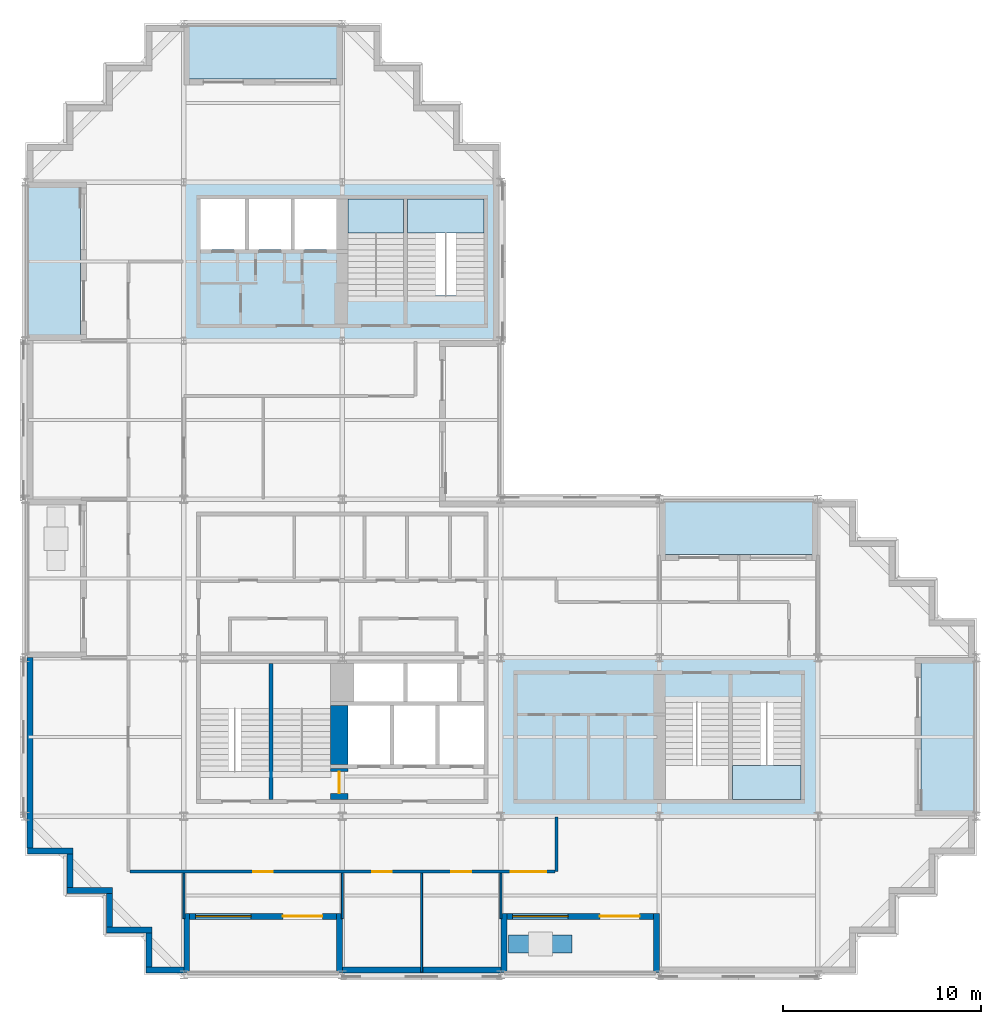
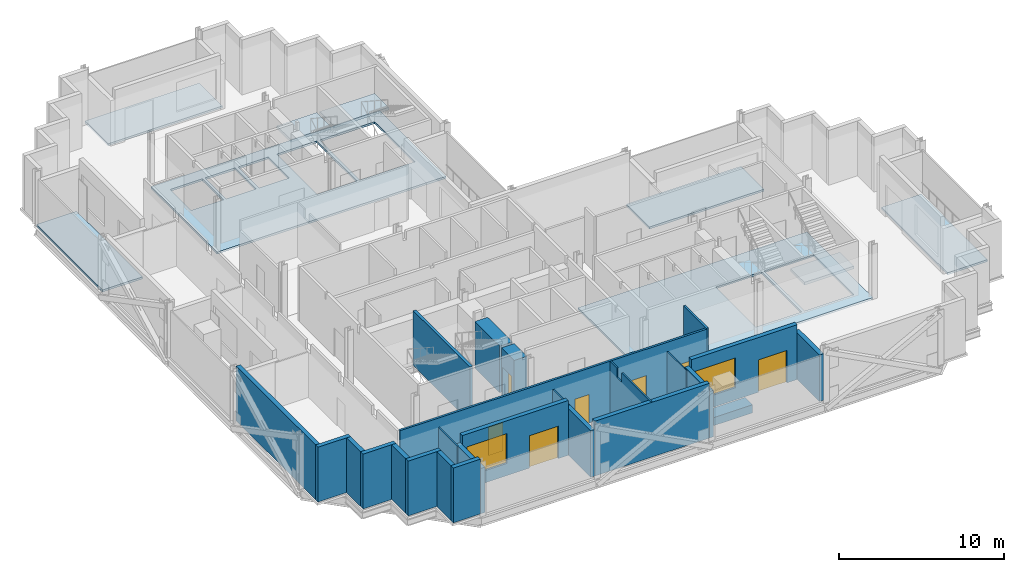
# One storey, part 4 of 11: 25 walls, 9 slabs, 7 doors, 2 windows, 9 openings, 3 elements without a shape of their own.
"""IFC4 building model written with IfcOpenShell, lengths in metres."""

from ifc_helpers import new_model, si_unit, direction, frame, frame_2d, origin, place, context, subcontext, project, spatial, polyline, rectangle, outline, extrude, material, layer, layer_set, type_object, element, fill, aggregate, save


model = new_model("IFC4")

# Units and contexts
model_context = context("Model", 3, precision=1e-05, world=origin(), true_north=direction((0.0, 1.0)))
body_context = subcontext(model_context, "Body", "Model", "MODEL_VIEW")
ifc_project = project(units=[si_unit("LENGTHUNIT", "METRE"), si_unit("AREAUNIT", "SQUARE_METRE"), si_unit("VOLUMEUNIT", "CUBIC_METRE"), si_unit("PLANEANGLEUNIT", "RADIAN"), si_unit("MASSUNIT", "GRAM", prefix="KILO")], contexts=[model_context])

# Site, building, storey
site_placement = place(None, origin())
site = spatial("IfcSite", under=ifc_project, at=site_placement, CompositionType="ELEMENT")
building_placement = place(site_placement, origin())
building = spatial("IfcBuilding", under=site, at=building_placement, Name="Immortelle Media Tower", CompositionType="ELEMENT")
storey_placement = place(building_placement, frame((0.0, 0.0, 157.800048828125)))
storey = spatial("IfcBuildingStorey", under=building, at=storey_placement, Name="L32", CompositionType="ELEMENT", Elevation=157.800048828125)

# Slabs
ifc_material_1 = material(Name="Concrete C50/60 composite deck", Category="concrete")
ifc_layer_1 = layer(ifc_material_1, 0.14990234375)
ifc_layer_set_1 = layer_set([ifc_layer_1], Name="Concrete C50/60 composite deck")
slab_type_1 = type_object("IfcSlabType", Name="Balcony slab 150", PredefinedType="FLOOR", material=ifc_layer_set_1)
slab_1_placement = place(storey_placement, frame((0.0, 0.0, -0.150146484375)))
element("IfcSlab", 1, at=slab_1_placement, inside=storey, type_object=slab_type_1, Name="Balcony slab L32 E0", PredefinedType="FLOOR", context=body_context, shape_type="SweptSolid", body=[
    extrude(outline(polyline([(48.0, 8.0), (48.0, 16.0), (45.199951171875, 16.0), (45.199951171875, 8.0), (48.0, 8.0)])), origin(), (0.0, 0.0, 1.0), 0.150146484375),
])
slab_2_placement = place(storey_placement, frame((0.0, 0.0, -0.150146484375)))
element("IfcSlab", 2, at=slab_2_placement, inside=storey, type_object=slab_type_1, Name="Balcony slab L32 N0", PredefinedType="FLOOR", context=body_context, shape_type="SweptSolid", body=[
    extrude(outline(polyline([(40.0, 21.199951171875), (40.0, 24.0), (32.0, 24.0), (32.0, 21.199951171875), (40.0, 21.199951171875)])), origin(), (0.0, 0.0, 1.0), 0.150146484375),
])
slab_3_placement = place(storey_placement, frame((0.0, 0.0, -0.150146484375)))
element("IfcSlab", 3, at=slab_3_placement, inside=storey, type_object=slab_type_1, Name="Balcony slab L32 N0", PredefinedType="FLOOR", context=body_context, shape_type="SweptSolid", body=[
    extrude(outline(polyline([(16.0, 45.199951171875), (16.0, 48.0), (8.0, 48.0), (8.0, 45.199951171875), (16.0, 45.199951171875)])), origin(), (0.0, 0.0, 1.0), 0.150146484375),
])
slab_4_placement = place(storey_placement, frame((0.0, 0.0, -0.150146484375)))
element("IfcSlab", 4, at=slab_4_placement, inside=storey, type_object=slab_type_1, Name="Balcony slab L32 W0", PredefinedType="FLOOR", context=body_context, shape_type="SweptSolid", body=[
    extrude(outline(polyline([(2.800048828125, 32.0), (2.800048828125, 40.0), (0.0, 40.0), (0.0, 32.0), (2.800048828125, 32.0)])), origin(), (0.0, 0.0, 1.0), 0.150146484375),
])
ifc_material_2 = material(Name="Concrete C50/60", Category="concrete")
ifc_layer_2 = layer(ifc_material_2, 0.14990234375)
ifc_layer_set_2 = layer_set([ifc_layer_2], Name="Concrete C50/60")
slab_type_2 = type_object("IfcSlabType", Name="Core floor slab 150", PredefinedType="FLOOR", material=ifc_layer_set_2)
slab_5_placement = place(storey_placement, frame((0.0, 0.0, -0.150146484375)))
element("IfcSlab", 5, at=slab_5_placement, inside=storey, type_object=slab_type_2, Name="Core floor SE", PredefinedType="FLOOR", context=body_context, shape_type="SweptSolid", body=[
    extrude(outline(polyline([(24.0, 8.0), (40.0, 8.0), (40.0, 16.0), (24.0, 16.0), (24.0, 8.0)]), holes=[polyline([(32.300048828125, 8.85009765625), (35.5, 8.85009765625), (35.5, 13.72998046875), (32.300048828125, 13.72998046875), (32.300048828125, 8.85009765625)]), polyline([(35.699951171875, 8.85009765625), (39.14990234375, 8.85009765625), (39.14990234375, 13.72998046875), (35.699951171875, 13.72998046875), (35.699951171875, 8.85009765625)])]), origin(), (0.0, 0.0, 1.0), 0.150146484375),
])
slab_6_placement = place(storey_placement, frame((0.0, 0.0, -0.150146484375)))
element("IfcSlab", 6, at=slab_6_placement, inside=storey, type_object=slab_type_2, Name="Core floor NW", PredefinedType="FLOOR", context=body_context, shape_type="SweptSolid", body=[
    extrude(outline(polyline([(8.0, 32.0), (24.0, 32.0), (24.0, 40.0), (8.0, 40.0), (8.0, 32.0)]), holes=[polyline([(8.85009765625, 36.60009765625), (11.10009765625, 36.60009765625), (11.10009765625, 39.14990234375), (8.85009765625, 39.14990234375), (8.85009765625, 36.60009765625)]), polyline([(11.300048828125, 36.60009765625), (13.39990234375, 36.60009765625), (13.39990234375, 39.14990234375), (11.300048828125, 39.14990234375), (11.300048828125, 36.60009765625)]), polyline([(13.60009765625, 36.60009765625), (15.699951171875, 36.60009765625), (15.699951171875, 39.14990234375), (13.60009765625, 39.14990234375), (13.60009765625, 36.60009765625)]), polyline([(16.300048828125, 34.27001953125), (19.10009765625, 34.27001953125), (19.10009765625, 39.14990234375), (16.300048828125, 39.14990234375), (16.300048828125, 34.27001953125)]), polyline([(19.300048828125, 34.27001953125), (23.14990234375, 34.27001953125), (23.14990234375, 39.14990234375), (19.300048828125, 39.14990234375), (19.300048828125, 34.27001953125)])]), origin(), (0.0, 0.0, 1.0), 0.150146484375),
])

# Stair, slab
ifc_material_3 = material(Name="Steel ASTM A992 Gr 50", Category="steel")
stair_type = type_object("IfcStairType", Name="Stair with flights", PredefinedType="DOUBLE_RETURN_STAIR", material=ifc_material_3)
stair_1_placement = place(storey_placement, origin())
stair_1 = element("IfcStair", 7, at=stair_1_placement, inside=storey, type_object=stair_type, Name="Exit stair SE2", PredefinedType="DOUBLE_RETURN_STAIR")
ifc_material_4 = material(Name="Steel ASTM A572 Gr 50", Category="steel")
ifc_layer_3 = layer(ifc_material_4, 0.199951171875)
ifc_layer_set_3 = layer_set([ifc_layer_3], Name="Steel ASTM A572 Gr 50")
slab_type_3 = type_object("IfcSlabType", Name="Stair landing 200", PredefinedType="LANDING", material=ifc_layer_set_3)
slab_7_placement = place(storey_placement, frame((0.0, 0.0, 1.89990234375)))
slab_7 = element("IfcSlab", 8, at=slab_7_placement, type_object=slab_type_3, Name="ST SE2 landing 1", PredefinedType="LANDING", context=body_context, shape_type="SweptSolid", body=[
    extrude(outline(polyline([(35.699951171875, 8.85009765625), (39.14990234375, 8.85009765625), (39.14990234375, 10.56005859375), (35.699951171875, 10.56005859375), (35.699951171875, 8.85009765625)])), origin(), (0.0, 0.0, 1.0), 0.199951171875),
])
aggregate(stair_1, [slab_7])

stair_2_placement = place(storey_placement, origin())
stair_2 = element("IfcStair", 9, at=stair_2_placement, inside=storey, type_object=stair_type, Name="Exit stair NW1", PredefinedType="DOUBLE_RETURN_STAIR")
slab_8_placement = place(storey_placement, frame((0.0, 0.0, 1.89990234375)))
slab_8 = element("IfcSlab", 10, at=slab_8_placement, type_object=slab_type_3, Name="ST NW1 landing 1", PredefinedType="LANDING", context=body_context, shape_type="SweptSolid", body=[
    extrude(outline(polyline([(16.300048828125, 37.43994140625), (19.10009765625, 37.43994140625), (19.10009765625, 39.14990234375), (16.300048828125, 39.14990234375), (16.300048828125, 37.43994140625)])), origin(), (0.0, 0.0, 1.0), 0.199951171875),
])
aggregate(stair_2, [slab_8])

stair_3_placement = place(storey_placement, origin())
stair_3 = element("IfcStair", 11, at=stair_3_placement, inside=storey, type_object=stair_type, Name="Exit stair NW2", PredefinedType="DOUBLE_RETURN_STAIR")
slab_9_placement = place(storey_placement, frame((0.0, 0.0, 1.89990234375)))
slab_9 = element("IfcSlab", 12, at=slab_9_placement, type_object=slab_type_3, Name="ST NW2 landing 1", PredefinedType="LANDING", context=body_context, shape_type="SweptSolid", body=[
    extrude(outline(polyline([(19.300048828125, 37.43994140625), (23.14990234375, 37.43994140625), (23.14990234375, 39.14990234375), (19.300048828125, 39.14990234375), (19.300048828125, 37.43994140625)])), origin(), (0.0, 0.0, 1.0), 0.199951171875),
])
aggregate(stair_3, [slab_9])

# Wall, openings, doors
ifc_material_5 = material(Name="Fire-rated gypsum board", Category="gypsum")
ifc_layer_4 = layer(ifc_material_5, 0.012451171875)
ifc_material_6 = material(Name="Steel ASTM A653 SS Gr 50 stud frame with mineral wool", Category="steel")
ifc_layer_5 = layer(ifc_material_6, 0.125)
ifc_layer_6 = layer(ifc_material_5, 0.012451171875)
ifc_layer_set_4 = layer_set([ifc_layer_4, ifc_layer_5, ifc_layer_6], Name="Steel ASTM A653 SS Gr 50 stud frame with mineral wool")
wall_type_1 = type_object("IfcWallType", Name="Corridor wall 150", PredefinedType="PARTITIONING", material=ifc_layer_set_4)
wall_1_placement = place(storey_placement, frame((5.27490234375, 5.199951171875, 0.0), z_axis=(0.0, 0.0, 1.0), x_axis=(1.0, 0.0, 0.0)))
wall_1 = element("IfcWall", 13, at=wall_1_placement, inside=storey, type_object=wall_type_1, Name="Partition L32-005", PredefinedType="PARTITIONING", context=body_context, shape_type="SweptSolid", body=[
    extrude(rectangle(XDim=21.4501953125, YDim=0.14990234375, at=frame_2d((10.72509765625, 0.0))), origin(), (0.0, 0.0, 1.0), 4.050048828125),
])
opening_1_placement = place(wall_1_placement, frame((13.22509765625, 0.0, 0.0), z_axis=(0.0, 0.0, 1.0), x_axis=(-1.0, 0.0, 0.0)))
opening_1 = element("IfcOpeningElement", 14, at=opening_1_placement, cuts=wall_1, Name="Opening C4-F001", PredefinedType="OPENING", context=body_context, shape_type="SweptSolid", body=[
    extrude(rectangle(XDim=1.0, YDim=2.10009765625, at=frame_2d((0.5, 1.050048828125))), frame((0.0, 0.0849609375, 0.0), z_axis=(0.0, -1.0, 0.0), x_axis=(1.0, 0.0, 0.0)), (0.0, 0.0, 1.0), 0.169921875),
])
opening_2_placement = place(wall_1_placement, frame((17.22509765625, 0.0, 0.0), z_axis=(0.0, 0.0, 1.0), x_axis=(-1.0, 0.0, 0.0)))
opening_2 = element("IfcOpeningElement", 15, at=opening_2_placement, cuts=wall_1, Name="Opening C4-F002", PredefinedType="OPENING", context=body_context, shape_type="SweptSolid", body=[
    extrude(rectangle(XDim=1.0, YDim=2.10009765625, at=frame_2d((0.5, 1.050048828125))), frame((0.0, 0.0849609375, 0.0), z_axis=(0.0, -1.0, 0.0), x_axis=(1.0, 0.0, 0.0)), (0.0, 0.0, 1.0), 0.169921875),
])
opening_3_placement = place(wall_1_placement, frame((7.22509765625, 0.0, 0.0), z_axis=(0.0, 0.0, 1.0), x_axis=(-1.0, 0.0, 0.0)))
opening_3 = element("IfcOpeningElement", 16, at=opening_3_placement, cuts=wall_1, Name="Opening C4-F003", PredefinedType="OPENING", context=body_context, shape_type="SweptSolid", body=[
    extrude(rectangle(XDim=1.0, YDim=2.10009765625, at=frame_2d((0.5, 1.050048828125))), frame((0.0, 0.0849609375, 0.0), z_axis=(0.0, -1.0, 0.0), x_axis=(1.0, 0.0, 0.0)), (0.0, 0.0, 1.0), 0.169921875),
])
opening_4_placement = place(wall_1_placement, frame((19.22509765625, 0.0, 0.0)))
opening_4 = element("IfcOpeningElement", 17, at=opening_4_placement, cuts=wall_1, Name="Opening C4-F004", PredefinedType="OPENING", context=body_context, shape_type="SweptSolid", body=[
    extrude(rectangle(XDim=1.800048828125, YDim=2.10009765625, at=frame_2d((0.89990234375, 1.050048828125))), frame((0.0, 0.0849609375, 0.0), z_axis=(0.0, -1.0, 0.0), x_axis=(1.0, 0.0, 0.0)), (0.0, 0.0, 1.0), 0.169921875),
])
ifc_material_7 = material(Name="Timber veneered door leaf, galvanised steel frame ASTM A653", Category="steel")
door_type_1 = type_object("IfcDoorType", Name="Room door 1000 x 2100", OperationType="NOTDEFINED", PredefinedType="DOOR", material=ifc_material_7)
door_1_placement = place(opening_1_placement, origin())
door_1 = element("IfcDoor", 18, at=door_1_placement, inside=storey, type_object=door_type_1, Name="Door C4-F001", OperationType="SINGLE_SWING_RIGHT", OverallHeight=2.10009765625, OverallWidth=1.0, PredefinedType="DOOR", context=body_context, shape_type="SweptSolid", body=[
    extrude(rectangle(XDim=1.0, YDim=2.10009765625, at=frame_2d((0.5, 1.050048828125))), frame((0.0, 0.02490234375, 0.0), z_axis=(0.0, -1.0, 0.0), x_axis=(1.0, 0.0, 0.0)), (0.0, 0.0, 1.0), 0.050048828125),
])
fill(opening_1, door_1)
door_2_placement = place(opening_2_placement, origin())
door_2 = element("IfcDoor", 19, at=door_2_placement, inside=storey, type_object=door_type_1, Name="Door C4-F002", OperationType="SINGLE_SWING_RIGHT", OverallHeight=2.10009765625, OverallWidth=1.0, PredefinedType="DOOR", context=body_context, shape_type="SweptSolid", body=[
    extrude(rectangle(XDim=1.0, YDim=2.10009765625, at=frame_2d((0.5, 1.050048828125))), frame((0.0, 0.02490234375, 0.0), z_axis=(0.0, -1.0, 0.0), x_axis=(1.0, 0.0, 0.0)), (0.0, 0.0, 1.0), 0.050048828125),
])
fill(opening_2, door_2)
door_3_placement = place(opening_3_placement, origin())
door_3 = element("IfcDoor", 20, at=door_3_placement, inside=storey, type_object=door_type_1, Name="Door C4-F003", OperationType="SINGLE_SWING_RIGHT", OverallHeight=2.10009765625, OverallWidth=1.0, PredefinedType="DOOR", context=body_context, shape_type="SweptSolid", body=[
    extrude(rectangle(XDim=1.0, YDim=2.10009765625, at=frame_2d((0.5, 1.050048828125))), frame((0.0, 0.02490234375, 0.0), z_axis=(0.0, -1.0, 0.0), x_axis=(1.0, 0.0, 0.0)), (0.0, 0.0, 1.0), 0.050048828125),
])
fill(opening_3, door_3)
door_type_2 = type_object("IfcDoorType", Name="Room door 1800 x 2100", OperationType="DOUBLE_DOOR_SINGLE_SWING", PredefinedType="DOOR", material=ifc_material_7)
door_4_placement = place(opening_4_placement, origin())
door_4 = element("IfcDoor", 21, at=door_4_placement, inside=storey, type_object=door_type_2, Name="Door C4-F004", OperationType="DOUBLE_DOOR_SINGLE_SWING", OverallHeight=2.10009765625, OverallWidth=1.800048828125, PredefinedType="DOOR", context=body_context, shape_type="SweptSolid", body=[
    extrude(rectangle(XDim=1.800048828125, YDim=2.10009765625, at=frame_2d((0.89990234375, 1.050048828125))), frame((0.0, 0.02490234375, 0.0), z_axis=(0.0, -1.0, 0.0), x_axis=(1.0, 0.0, 0.0)), (0.0, 0.0, 1.0), 0.050048828125),
])
fill(opening_4, door_4)

# Walls
wall_2_placement = place(storey_placement, frame((26.800048828125, 5.199951171875, 0.0), z_axis=(0.0, 0.0, 1.0), x_axis=(0.0, 1.0, 0.0)))
element("IfcWall", 22, at=wall_2_placement, inside=storey, type_object=wall_type_1, Name="Partition L32-007", PredefinedType="PARTITIONING", context=body_context, shape_type="SweptSolid", body=[
    extrude(rectangle(XDim=2.77001953125, YDim=0.14990234375, at=frame_2d((1.385009765625, 0.0))), origin(), (0.0, 0.0, 1.0), 4.050048828125),
])
ifc_material_8 = material(Name="Pale aluminium cladding panel", Category="aluminium")
ifc_layer_7 = layer(ifc_material_8, 0.030029296875)
ifc_layer_8 = layer(ifc_material_6, 0.257568359375)
ifc_material_9 = material(Name="Moisture-resistant gypsum board", Category="gypsum")
ifc_layer_9 = layer(ifc_material_9, 0.012451171875)
ifc_layer_set_5 = layer_set([ifc_layer_7, ifc_layer_8, ifc_layer_9], Name="Steel ASTM A653 SS Gr 50 stud frame with mineral wool")
wall_type_2 = type_object("IfcWallType", Name="Facade wall 300", PredefinedType="SOLIDWALL", material=ifc_layer_set_5)
wall_3_placement = place(storey_placement, frame((0.10009765625, 6.25, 0.0), z_axis=(0.0, 0.0, 1.0), x_axis=(1.0, 0.0, 0.0)))
element("IfcWall", 23, at=wall_3_placement, inside=storey, type_object=wall_type_2, Name="Facade wall L32 S0", PredefinedType="SOLIDWALL", context=body_context, shape_type="SweptSolid", body=[
    extrude(rectangle(XDim=2.2998046875, YDim=0.300048828125, at=frame_2d((1.14990234375, 0.0))), origin(), (0.0, 0.0, 1.0), 4.050048828125),
])
wall_4_placement = place(storey_placement, frame((2.25, 6.10009765625, 0.0), z_axis=(0.0, 0.0, 1.0), x_axis=(0.0, -1.0, 0.0)))
element("IfcWall", 24, at=wall_4_placement, inside=storey, type_object=wall_type_2, Name="Facade wall L32 W1", PredefinedType="SOLIDWALL", context=body_context, shape_type="SweptSolid", body=[
    extrude(rectangle(XDim=1.7001953125, YDim=0.300048828125, at=frame_2d((0.85009765625, 0.0))), origin(), (0.0, 0.0, 1.0), 4.050048828125),
])
wall_5_placement = place(storey_placement, frame((2.10009765625, 4.25, 0.0), z_axis=(0.0, 0.0, 1.0), x_axis=(1.0, 0.0, 0.0)))
element("IfcWall", 25, at=wall_5_placement, inside=storey, type_object=wall_type_2, Name="Facade wall L32 S2", PredefinedType="SOLIDWALL", context=body_context, shape_type="SweptSolid", body=[
    extrude(rectangle(XDim=2.2998046875, YDim=0.300048828125, at=frame_2d((1.14990234375, 0.0))), origin(), (0.0, 0.0, 1.0), 4.050048828125),
])
wall_6_placement = place(storey_placement, frame((4.25, 4.10009765625, 0.0), z_axis=(0.0, 0.0, 1.0), x_axis=(0.0, -1.0, 0.0)))
element("IfcWall", 26, at=wall_6_placement, inside=storey, type_object=wall_type_2, Name="Facade wall L32 W3", PredefinedType="SOLIDWALL", context=body_context, shape_type="SweptSolid", body=[
    extrude(rectangle(XDim=1.7001953125, YDim=0.300048828125, at=frame_2d((0.85009765625, 0.0))), origin(), (0.0, 0.0, 1.0), 4.050048828125),
])
wall_7_placement = place(storey_placement, frame((4.10009765625, 2.25, 0.0), z_axis=(0.0, 0.0, 1.0), x_axis=(1.0, 0.0, 0.0)))
element("IfcWall", 27, at=wall_7_placement, inside=storey, type_object=wall_type_2, Name="Facade wall L32 S4", PredefinedType="SOLIDWALL", context=body_context, shape_type="SweptSolid", body=[
    extrude(rectangle(XDim=2.2998046875, YDim=0.300048828125, at=frame_2d((1.14990234375, 0.0))), origin(), (0.0, 0.0, 1.0), 4.050048828125),
])
wall_8_placement = place(storey_placement, frame((6.25, 2.10009765625, 0.0), z_axis=(0.0, 0.0, 1.0), x_axis=(0.0, -1.0, 0.0)))
element("IfcWall", 28, at=wall_8_placement, inside=storey, type_object=wall_type_2, Name="Facade wall L32 W5", PredefinedType="SOLIDWALL", context=body_context, shape_type="SweptSolid", body=[
    extrude(rectangle(XDim=1.7001953125, YDim=0.300048828125, at=frame_2d((0.85009765625, 0.0))), origin(), (0.0, 0.0, 1.0), 4.050048828125),
])
wall_9_placement = place(storey_placement, frame((6.10009765625, 0.25, 0.0), z_axis=(0.0, 0.0, 1.0), x_axis=(1.0, 0.0, 0.0)))
element("IfcWall", 29, at=wall_9_placement, inside=storey, type_object=wall_type_2, Name="Facade wall L32 S6", PredefinedType="SOLIDWALL", context=body_context, shape_type="SweptSolid", body=[
    extrude(rectangle(XDim=1.89990234375, YDim=0.300048828125, at=frame_2d((0.949951171875, 0.0))), origin(), (0.0, 0.0, 1.0), 4.050048828125),
])

# Wall, openings, door, window
wall_10_placement = place(storey_placement, frame((8.300048828125, 2.949951171875, 0.0), z_axis=(0.0, 0.0, 1.0), x_axis=(1.0, 0.0, 0.0)))
wall_10 = element("IfcWall", 30, at=wall_10_placement, inside=storey, type_object=wall_type_2, Name="Loggia wall L32 S6", PredefinedType="SOLIDWALL", context=body_context, shape_type="SweptSolid", body=[
    extrude(rectangle(XDim=7.39990234375, YDim=0.300048828125, at=frame_2d((3.699951171875, 0.0))), origin(), (0.0, 0.0, 1.0), 4.050048828125),
])
opening_5_placement = place(wall_10_placement, frame((0.300048828125, 0.0, 0.89990234375)))
opening_5 = element("IfcOpeningElement", 31, at=opening_5_placement, cuts=wall_10, Name="Opening W1", PredefinedType="OPENING", context=body_context, shape_type="SweptSolid", body=[
    extrude(rectangle(XDim=2.800048828125, YDim=2.199951171875, at=frame_2d((1.39990234375, 1.10009765625))), frame((0.0, 0.159912109375, 0.0), z_axis=(0.0, -1.0, 0.0), x_axis=(1.0, 0.0, 0.0)), (0.0, 0.0, 1.0), 0.320068359375),
])
opening_6_placement = place(wall_10_placement, frame((4.699951171875, 0.0, 0.0)))
opening_6 = element("IfcOpeningElement", 32, at=opening_6_placement, cuts=wall_10, Name="Opening C4-E001", PredefinedType="OPENING", context=body_context, shape_type="SweptSolid", body=[
    extrude(rectangle(XDim=2.0, YDim=2.39990234375, at=frame_2d((1.0, 1.199951171875))), frame((0.0, 0.159912109375, 0.0), z_axis=(0.0, -1.0, 0.0), x_axis=(1.0, 0.0, 0.0)), (0.0, 0.0, 1.0), 0.320068359375),
])
ifc_material_10 = material(Name="Aluminium frame, glazed leaves", Category="aluminium")
door_type_3 = type_object("IfcDoorType", Name="Loggia door 2000 x 2400", OperationType="DOUBLE_DOOR_SINGLE_SWING", PredefinedType="DOOR", material=ifc_material_10)
door_5_placement = place(opening_6_placement, origin())
door_5 = element("IfcDoor", 33, at=door_5_placement, inside=storey, type_object=door_type_3, Name="Door C4-E001", OperationType="DOUBLE_DOOR_SINGLE_SWING", OverallHeight=2.39990234375, OverallWidth=2.0, PredefinedType="DOOR", context=body_context, shape_type="SweptSolid", body=[
    extrude(rectangle(XDim=2.0, YDim=2.39990234375, at=frame_2d((1.0, 1.199951171875))), frame((0.0, 0.02490234375, 0.0), z_axis=(0.0, -1.0, 0.0), x_axis=(1.0, 0.0, 0.0)), (0.0, 0.0, 1.0), 0.050048828125),
])
fill(opening_6, door_5)
ifc_material_11 = material(Name="Aluminium frame", Category="aluminium")
window_type = type_object("IfcWindowType", Name="Window 2800 x 2200", PartitioningType="SINGLE_PANEL", PredefinedType="WINDOW", material=ifc_material_11)
window_1_placement = place(opening_5_placement, origin())
window_1 = element("IfcWindow", 34, at=window_1_placement, inside=storey, type_object=window_type, Name="Window L32 L32-R6-B0", OverallHeight=2.199951171875, OverallWidth=2.800048828125, PartitioningType="SINGLE_PANEL", PredefinedType="WINDOW", context=body_context, shape_type="SweptSolid", body=[
    extrude(rectangle(XDim=2.800048828125, YDim=2.199951171875, at=frame_2d((1.39990234375, 1.10009765625))), frame((0.0, 0.030029296875, 0.0), z_axis=(0.0, -1.0, 0.0), x_axis=(1.0, 0.0, 0.0)), (0.0, 0.0, 1.0), 0.06005859375),
])
fill(opening_5, window_1)

# Walls
wall_11_placement = place(storey_placement, frame((8.14990234375, 0.10009765625, 0.0), z_axis=(0.0, 0.0, 1.0), x_axis=(0.0, 1.0, 0.0)))
element("IfcWall", 35, at=wall_11_placement, inside=storey, type_object=wall_type_2, Name="Loggia cheek wall L32 S", PredefinedType="SOLIDWALL", context=body_context, shape_type="SweptSolid", body=[
    extrude(rectangle(XDim=3.0, YDim=0.300048828125, at=frame_2d((1.5, 0.0))), origin(), (0.0, 0.0, 1.0), 3.35302734375),
])
wall_12_placement = place(storey_placement, frame((15.85009765625, 0.10009765625, 0.0), z_axis=(0.0, 0.0, 1.0), x_axis=(0.0, 1.0, 0.0)))
element("IfcWall", 36, at=wall_12_placement, inside=storey, type_object=wall_type_2, Name="Loggia cheek wall L32 S", PredefinedType="SOLIDWALL", context=body_context, shape_type="SweptSolid", body=[
    extrude(rectangle(XDim=3.0, YDim=0.300048828125, at=frame_2d((1.5, 0.0))), origin(), (0.0, 0.0, 1.0), 3.43701171875),
])
wall_13_placement = place(storey_placement, frame((16.0, 0.25, 0.0), z_axis=(0.0, 0.0, 1.0), x_axis=(1.0, 0.0, 0.0)))
element("IfcWall", 37, at=wall_13_placement, inside=storey, type_object=wall_type_2, Name="Facade wall L32 S6", PredefinedType="SOLIDWALL", context=body_context, shape_type="SweptSolid", body=[
    extrude(rectangle(XDim=8.0, YDim=0.300048828125, at=frame_2d((4.0, 0.0))), origin(), (0.0, 0.0, 1.0), 4.050048828125),
])

# Wall, openings, door, window
wall_14_placement = place(storey_placement, frame((24.300048828125, 2.949951171875, 0.0), z_axis=(0.0, 0.0, 1.0), x_axis=(1.0, 0.0, 0.0)))
wall_14 = element("IfcWall", 38, at=wall_14_placement, inside=storey, type_object=wall_type_2, Name="Loggia wall L32 S6", PredefinedType="SOLIDWALL", context=body_context, shape_type="SweptSolid", body=[
    extrude(rectangle(XDim=7.39990234375, YDim=0.300048828125, at=frame_2d((3.699951171875, 0.0))), origin(), (0.0, 0.0, 1.0), 4.050048828125),
])
opening_7_placement = place(wall_14_placement, frame((0.300048828125, 0.0, 0.89990234375)))
opening_7 = element("IfcOpeningElement", 39, at=opening_7_placement, cuts=wall_14, Name="Opening W1", PredefinedType="OPENING", context=body_context, shape_type="SweptSolid", body=[
    extrude(rectangle(XDim=2.800048828125, YDim=2.199951171875, at=frame_2d((1.39990234375, 1.10009765625))), frame((0.0, 0.159912109375, 0.0), z_axis=(0.0, -1.0, 0.0), x_axis=(1.0, 0.0, 0.0)), (0.0, 0.0, 1.0), 0.320068359375),
])
opening_8_placement = place(wall_14_placement, frame((4.699951171875, 0.0, 0.0)))
opening_8 = element("IfcOpeningElement", 40, at=opening_8_placement, cuts=wall_14, Name="Opening C4-E002", PredefinedType="OPENING", context=body_context, shape_type="SweptSolid", body=[
    extrude(rectangle(XDim=2.0, YDim=2.39990234375, at=frame_2d((1.0, 1.199951171875))), frame((0.0, 0.159912109375, 0.0), z_axis=(0.0, -1.0, 0.0), x_axis=(1.0, 0.0, 0.0)), (0.0, 0.0, 1.0), 0.320068359375),
])
door_6_placement = place(opening_8_placement, origin())
door_6 = element("IfcDoor", 41, at=door_6_placement, inside=storey, type_object=door_type_3, Name="Door C4-E002", OperationType="DOUBLE_DOOR_SINGLE_SWING", OverallHeight=2.39990234375, OverallWidth=2.0, PredefinedType="DOOR", context=body_context, shape_type="SweptSolid", body=[
    extrude(rectangle(XDim=2.0, YDim=2.39990234375, at=frame_2d((1.0, 1.199951171875))), frame((0.0, 0.02490234375, 0.0), z_axis=(0.0, -1.0, 0.0), x_axis=(1.0, 0.0, 0.0)), (0.0, 0.0, 1.0), 0.050048828125),
])
fill(opening_8, door_6)
window_2_placement = place(opening_7_placement, origin())
window_2 = element("IfcWindow", 42, at=window_2_placement, inside=storey, type_object=window_type, Name="Window L32 L32-R6-B2", OverallHeight=2.199951171875, OverallWidth=2.800048828125, PartitioningType="SINGLE_PANEL", PredefinedType="WINDOW", context=body_context, shape_type="SweptSolid", body=[
    extrude(rectangle(XDim=2.800048828125, YDim=2.199951171875, at=frame_2d((1.39990234375, 1.10009765625))), frame((0.0, 0.030029296875, 0.0), z_axis=(0.0, -1.0, 0.0), x_axis=(1.0, 0.0, 0.0)), (0.0, 0.0, 1.0), 0.06005859375),
])
fill(opening_7, window_2)

# Walls
for number, where, z_axis, x_axis, name in (
    (43, (24.14990234375, 0.10009765625, 0.0), (0.0, 0.0, 1.0), (0.0, 1.0, 0.0), "Loggia cheek wall L32 S"),
    (44, (31.85009765625, 0.10009765625, 0.0), (0.0, 0.0, 1.0), (0.0, 1.0, 0.0), "Loggia cheek wall L32 S"),
):
    element("IfcWall", number, at=place(storey_placement, frame(where, z_axis=z_axis, x_axis=x_axis)), inside=storey, type_object=wall_type_2, Name=name, PredefinedType="SOLIDWALL", context=body_context, shape_type="SweptSolid", body=[
        extrude(rectangle(XDim=3.0, YDim=0.300048828125, at=frame_2d((1.5, 0.0))), origin(), (0.0, 0.0, 1.0), 3.43701171875),
    ])
wall_15_placement = place(storey_placement, frame((0.25, 16.0, 0.0), z_axis=(0.0, 0.0, 1.0), x_axis=(0.0, -1.0, 0.0)))
element("IfcWall", 45, at=wall_15_placement, inside=storey, type_object=wall_type_2, Name="Facade wall L32 W35", PredefinedType="SOLIDWALL", context=body_context, shape_type="SweptSolid", body=[
    extrude(rectangle(XDim=9.60009765625, YDim=0.300048828125, at=frame_2d((4.800048828125, 0.0))), origin(), (0.0, 0.0, 1.0), 4.050048828125),
])
ifc_material_12 = material(Name="Gypsum board", Category="gypsum")
ifc_layer_10 = layer(ifc_material_12, 0.012451171875)
ifc_layer_11 = layer(ifc_material_6, 0.074951171875)
ifc_layer_12 = layer(ifc_material_12, 0.012451171875)
ifc_layer_set_6 = layer_set([ifc_layer_10, ifc_layer_11, ifc_layer_12], Name="Steel ASTM A653 SS Gr 50 stud frame with mineral wool")
wall_type_3 = type_object("IfcWallType", Name="Partition 100", PredefinedType="PARTITIONING", material=ifc_layer_set_6)
wall_16_placement = place(storey_placement, frame((20.0, 0.1298828125, 0.0), z_axis=(0.0, 0.0, 1.0), x_axis=(0.0, 1.0, 0.0)))
element("IfcWall", 46, at=wall_16_placement, inside=storey, type_object=wall_type_3, Name="Partition L32-001", PredefinedType="PARTITIONING", context=body_context, shape_type="SweptSolid", body=[
    extrude(outline(polyline([(0.0, 0.0), (4.9951171875, 0.0), (4.9951171875, 4.050048828125), (4.169921875, 4.050048828125), (4.16796875, 3.35400390625), (3.572021484375, 3.35400390625), (3.570068359375, 4.050048828125), (0.0, 4.050048828125), (0.0, 0.0)])), frame((0.0, 0.050048828125, 0.0), z_axis=(0.0, -1.0, 0.0), x_axis=(1.0, 0.0, 0.0)), (0.0, 0.0, 1.0), 0.10009765625),
])
for number, where, z_axis, x_axis, name in (
    (47, (8.0, 2.830078125, 0.0), (0.0, 0.0, 1.0), (0.0, 1.0, 0.0), "Partition L32-002"),
    (48, (16.0, 2.830078125, 0.0), (0.0, 0.0, 1.0), (0.0, 1.0, 0.0), "Partition L32-003"),
    (49, (24.0, 2.830078125, 0.0), (0.0, 0.0, 1.0), (0.0, 1.0, 0.0), "Partition L32-004"),
):
    element("IfcWall", number, at=place(storey_placement, frame(where, z_axis=z_axis, x_axis=x_axis)), inside=storey, type_object=wall_type_3, Name=name, PredefinedType="PARTITIONING", context=body_context, shape_type="SweptSolid", body=[
        extrude(rectangle(XDim=2.294921875, YDim=0.10009765625, at=frame_2d((1.1474609375, 0.0))), origin(), (0.0, 0.0, 1.0), 3.35400390625),
    ])
ifc_layer_13 = layer(ifc_material_8, 0.0029296875)
ifc_material_13 = material(Name="Steel ASTM A572 Gr 50 planter shell", Category="steel")
ifc_layer_14 = layer(ifc_material_13, 0.011962890625)
ifc_material_14 = material(Name="Planting substrate", Category="soil")
ifc_layer_15 = layer(ifc_material_14, 0.873046875)
ifc_layer_16 = layer(ifc_material_13, 0.011962890625)
ifc_layer_set_7 = layer_set([ifc_layer_13, ifc_layer_14, ifc_layer_15, ifc_layer_16], Name="Steel ASTM A572 Gr 50 planter shell")
wall_type_4 = type_object("IfcWallType", Name="Planter wall 900", PredefinedType="SOLIDWALL", material=ifc_layer_set_7)
wall_17_placement = place(storey_placement, frame((24.39990234375, 1.550048828125, 0.0), z_axis=(0.0, 0.0, 1.0), x_axis=(1.0, 0.0, 0.0)))
element("IfcWall", 50, at=wall_17_placement, inside=storey, type_object=wall_type_4, Name="Planter L32 S2", PredefinedType="SOLIDWALL", context=body_context, shape_type="SweptSolid", body=[
    extrude(rectangle(XDim=3.2001953125, YDim=0.89990234375, at=frame_2d((1.60009765625, 0.0))), origin(), (0.0, 0.0, 1.0), 0.599853515625),
])
ifc_material_15 = material(Name="Concrete C60", Category="concrete")
ifc_layer_17 = layer(ifc_material_15, 0.199951171875)
ifc_layer_set_8 = layer_set([ifc_layer_17], Name="Concrete C60")
wall_type_5 = type_object("IfcWallType", Name="Stair shaft wall 200", PredefinedType="PARTITIONING", material=ifc_layer_set_8)
wall_18_placement = place(storey_placement, frame((12.39990234375, 8.85009765625, 0.0), z_axis=(0.0, 0.0, 1.0), x_axis=(0.0, 1.0, 0.0)))
element("IfcWall", 51, at=wall_18_placement, inside=storey, type_object=wall_type_5, Name="Stair shaft wall SW", PredefinedType="PARTITIONING", context=body_context, shape_type="SweptSolid", body=[
    extrude(rectangle(XDim=6.849853515625, YDim=0.199951171875, at=frame_2d((3.4248046875, 0.0))), origin(), (0.0, 0.0, 1.0), 4.050048828125),
])

# Wall, opening, door
ifc_layer_18 = layer(ifc_material_15, 0.89990234375)
ifc_layer_set_9 = layer_set([ifc_layer_18], Name="Concrete C60")
wall_type_6 = type_object("IfcWallType", Name="Stair shaft wall 900", PredefinedType="PARTITIONING", material=ifc_layer_set_9)
wall_19_placement = place(storey_placement, frame((15.85009765625, 8.85009765625, 0.0), z_axis=(0.0, 0.0, 1.0), x_axis=(0.0, 1.0, 0.0)))
wall_19 = element("IfcWall", 52, at=wall_19_placement, inside=storey, type_object=wall_type_6, Name="Stair shaft wall SW", PredefinedType="PARTITIONING", context=body_context, shape_type="SweptSolid", body=[
    extrude(rectangle(XDim=1.5498046875, YDim=0.89990234375, at=frame_2d((0.77490234375, 0.0))), origin(), (0.0, 0.0, 1.0), 3.44189453125),
])
opening_9_placement = place(wall_19_placement, frame((0.300048828125, 0.0, 0.0)))
opening_9 = element("IfcOpeningElement", 53, at=opening_9_placement, cuts=wall_19, Name="Opening C4-K007", PredefinedType="OPENING", context=body_context, shape_type="SweptSolid", body=[
    extrude(rectangle(XDim=1.10009765625, YDim=2.10009765625, at=frame_2d((0.550048828125, 1.050048828125))), frame((0.0, 0.4599609375, 0.0), z_axis=(0.0, -1.0, 0.0), x_axis=(1.0, 0.0, 0.0)), (0.0, 0.0, 1.0), 0.919921875),
])
ifc_material_16 = material(Name="Galvanised steel door leaf and frame ASTM A653", Category="steel")
door_type_4 = type_object("IfcDoorType", Name="Stair lobby door 1100 x 2100", OperationType="NOTDEFINED", PredefinedType="NOTDEFINED", material=ifc_material_16)
door_7_placement = place(opening_9_placement, origin())
door_7 = element("IfcDoor", 54, at=door_7_placement, inside=storey, type_object=door_type_4, Name="Stair lobby C4-K007", OperationType="SINGLE_SWING_LEFT", OverallHeight=2.10009765625, OverallWidth=1.10009765625, PredefinedType="NOTDEFINED", context=body_context, shape_type="SweptSolid", body=[
    extrude(rectangle(XDim=1.10009765625, YDim=2.10009765625, at=frame_2d((0.550048828125, 1.050048828125))), frame((0.0, 0.02490234375, 0.0), z_axis=(0.0, -1.0, 0.0), x_axis=(1.0, 0.0, 0.0)), (0.0, 0.0, 1.0), 0.050048828125),
])
fill(opening_9, door_7)

# Wall
wall_20_placement = place(storey_placement, frame((15.85009765625, 10.60009765625, 0.0), z_axis=(0.0, 0.0, 1.0), x_axis=(0.0, 1.0, 0.0)))
element("IfcWall", 55, at=wall_20_placement, inside=storey, type_object=wall_type_6, Name="Stair shaft wall SW", PredefinedType="PARTITIONING", context=body_context, shape_type="SweptSolid", body=[
    extrude(rectangle(XDim=3.0, YDim=0.89990234375, at=frame_2d((1.5, 0.0))), origin(), (0.0, 0.0, 1.0), 3.44189453125),
])

save(model, "model.ifc")
